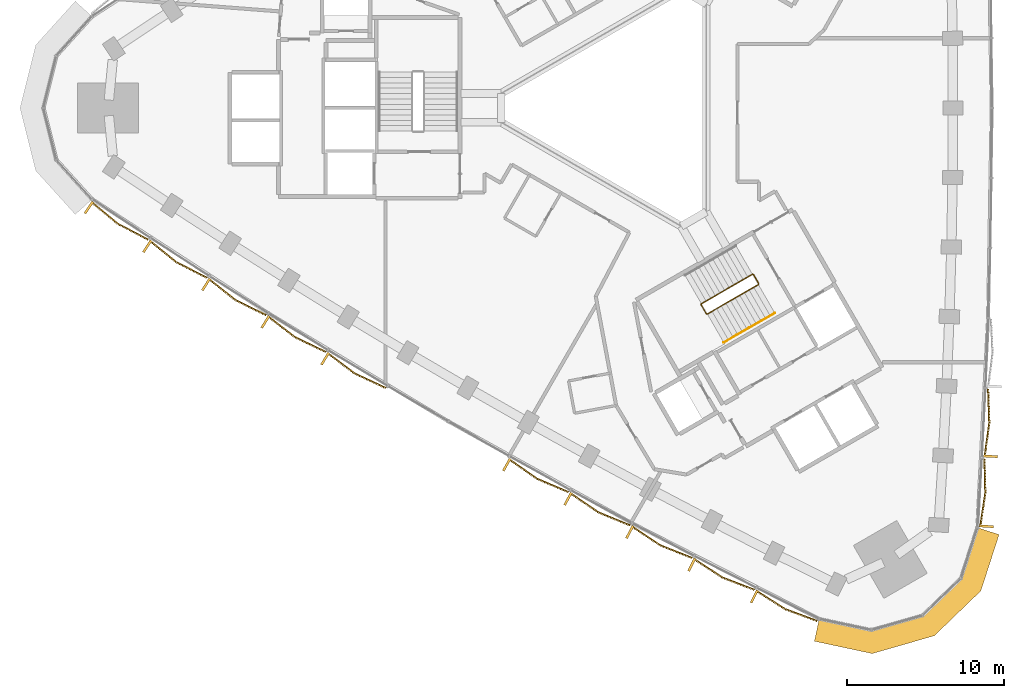
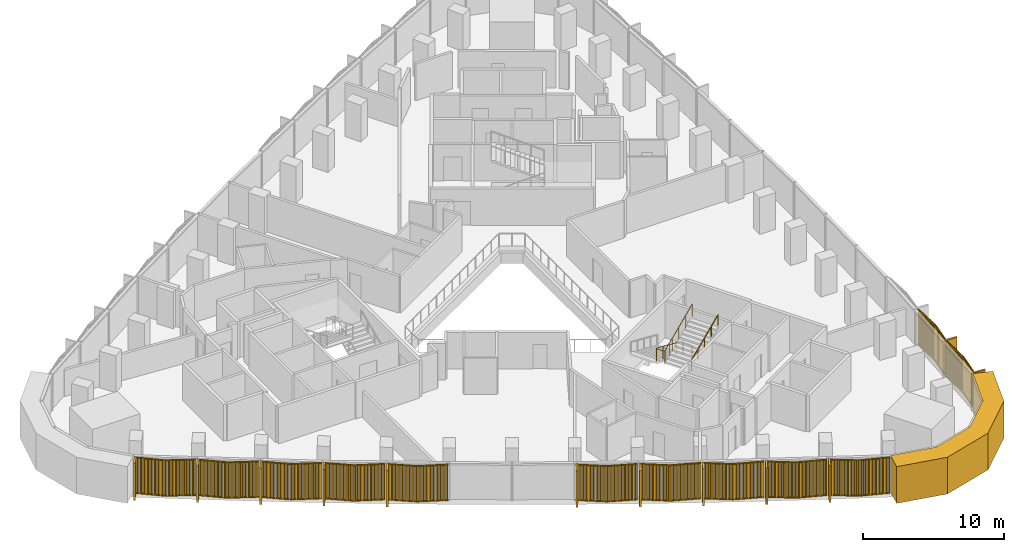
# One storey, part 12 of 15: 13 coverings, 2 railings.
"""IFC4 building model written with IfcOpenShell, lengths in metres."""

from ifc_helpers import new_model, si_unit, direction, frame, frame_2d, origin, origin_2d, place, context, subcontext, project, spatial, polyline, rectangle, circle, outline, extrude, source, transform, mapped, material, layer, layer_set, type_object, element, save


model = new_model("IFC4")

# Units and contexts
model_context = context("Model", 3, precision=1e-05, world=origin(), true_north=direction((0.0, 1.0)))
body_context = subcontext(model_context, "Body", "Model", "MODEL_VIEW")
ifc_project = project(units=[si_unit("LENGTHUNIT", "METRE"), si_unit("AREAUNIT", "SQUARE_METRE"), si_unit("VOLUMEUNIT", "CUBIC_METRE"), si_unit("PLANEANGLEUNIT", "RADIAN"), si_unit("MASSUNIT", "GRAM", prefix="KILO")], contexts=[model_context])

# Site, building, storey
site_placement = place(None, origin())
site = spatial("IfcSite", under=ifc_project, at=site_placement, CompositionType="ELEMENT")
building_placement = place(site_placement, origin())
building = spatial("IfcBuilding", under=site, at=building_placement, Name="Tamra Quay Hotel Tower", CompositionType="ELEMENT")
storey_placement = place(building_placement, frame((0.0, 0.0, 108.199951171875)))
storey = spatial("IfcBuildingStorey", under=building, at=storey_placement, Name="L26", CompositionType="ELEMENT", Elevation=108.199951171875)

# Covering
ifc_material_1 = material(Name="Precast concrete M60 terracotta-coloured", Category="masonry")
ifc_layer = layer(ifc_material_1, 1.449951171875)
ifc_layer_set = layer_set([ifc_layer], Name="CORNER PIER PANEL")
covering_type_1 = type_object("IfcCoveringType", Name="CORNER PIER PANEL", PredefinedType="CLADDING", material=ifc_layer_set)
covering_placement = place(storey_placement, origin())
element("IfcCovering", 1, at=covering_placement, inside=storey, type_object=covering_type_1, Name="Corner pier L26.south-west", PredefinedType="CLADDING", context=body_context, shape_type="SweptSolid", body=[
    extrude(outline(polyline([(12.11181640625, -32.657470703125), (11.808349609375, -34.075439453125), (15.497314453125, -34.864501953125), (19.471923828125, -33.7265625), (22.44482421875, -30.853271484375), (23.60595703125, -27.26416015625), (22.226318359375, -26.81787109375), (21.1767578125, -30.062255859375), (18.724609375, -32.43212890625), (15.4462890625, -33.370849609375), (12.11181640625, -32.657470703125)])), origin(), (0.0, 0.0, 1.0), 3.175048828125),
])

# Railings
ifc_material_2 = material(Name="Stair guard 1100")
railing_type_1 = type_object("IfcRailingType", Name="Stair guard 1100", PredefinedType="GUARDRAIL", material=ifc_material_2)
railing_1_placement = place(storey_placement, frame((8.245849609375, -11.221923828125, 0.0)))
element("IfcRailing", 2, at=railing_1_placement, inside=storey, type_object=railing_type_1, Name="GR", PredefinedType="GUARDRAIL", context=body_context, shape_type="SweptSolid", body=[
    extrude(circle(Radius=0.02392578125, at=origin_2d()), frame((0.0, 0.0, 1.076171875), z_axis=(-0.500043078269, 0.866000531106, 0.0), x_axis=(-0.866000531106, -0.500043078269, 0.0)), (0.0, 0.0, 1.0), 0.6591796875),
    extrude(circle(Radius=0.02392578125, at=origin_2d()), frame((-0.32958984375, 0.57080078125, 1.076171875), z_axis=(-0.411831509231, 0.110312011401, 0.90455849349), x_axis=(-0.258736085224, -0.965948051503, 0.0)), (0.0, 0.0, 1.0), 0.166015625),
    extrude(circle(Radius=0.02392578125, at=origin_2d()), frame((-0.39794921875, 0.589111328125, 1.22607421875), z_axis=(-0.793100512587, -0.457912285461, 0.401631567183), x_axis=(0.500012686397, -0.866018079166, 0.0)), (0.0, 0.0, 1.0), 4.10791015625),
    extrude(circle(Radius=0.02392578125, at=origin_2d()), frame((-3.656005859375, -1.2919921875, 2.8759765625), z_axis=(-0.256368644879, -0.966579080015, 0.0), x_axis=(0.966579080015, -0.256368644879, 0.0)), (0.0, 0.0, 1.0), 0.070556640625),
    extrude(circle(Radius=0.02392578125, at=origin_2d()), frame((-3.674072265625, -1.360107421875, 2.8759765625), z_axis=(0.499765215335, -0.866160914346, 0.0), x_axis=(0.866160914346, 0.499765215335, 0.0)), (0.0, 0.0, 1.0), 0.658935546875),
    extrude(circle(Radius=0.02392578125, at=origin_2d()), frame((-3.3447265625, -1.930908203125, 2.8759765625), z_axis=(0.41238007866, -0.110458949641, 0.904290601062), x_axis=(0.258736085224, 0.965948051503, 0.0)), (0.0, 0.0, 1.0), 0.165771484375),
    extrude(circle(Radius=0.02392578125, at=origin_2d()), frame((-3.2763671875, -1.94921875, 3.02587890625), z_axis=(0.793081581205, 0.457901355053, 0.401681409319), x_axis=(-0.500012686397, 0.866018079166, 0.0)), (0.0, 0.0, 1.0), 4.108154296875),
    extrude(circle(Radius=0.02099609375, at=origin_2d()), origin(), (0.0, 0.0, 1.0), 1.052001953125),
    extrude(circle(Radius=0.02099609375, at=origin_2d()), frame((-0.32958984375, 0.57080078125, 0.0)), (0.0, 0.0, 1.0), 1.052001953125),
    extrude(circle(Radius=0.02099609375, at=origin_2d()), frame((-0.39794921875, 0.589111328125, 0.150146484375)), (0.0, 0.0, 1.0), 1.052001953125),
    extrude(circle(Radius=0.02099609375, at=origin_2d()), frame((-1.21240234375, 0.118896484375, 0.5625)), (0.0, 0.0, 1.0), 1.052001953125),
    extrude(circle(Radius=0.02099609375, at=origin_2d()), frame((-2.02685546875, -0.3515625, 0.97509765625)), (0.0, 0.0, 1.0), 1.052001953125),
    extrude(circle(Radius=0.02099609375, at=origin_2d()), frame((-2.841552734375, -0.82177734375, 1.3876953125)), (0.0, 0.0, 1.0), 1.052001953125),
    extrude(circle(Radius=0.02099609375, at=origin_2d()), frame((-3.656005859375, -1.2919921875, 1.800048828125)), (0.0, 0.0, 1.0), 1.052001953125),
    extrude(circle(Radius=0.02099609375, at=origin_2d()), frame((-3.674072265625, -1.360107421875, 1.800048828125)), (0.0, 0.0, 1.0), 1.052001953125),
    extrude(circle(Radius=0.02099609375, at=origin_2d()), frame((-3.3447265625, -1.930908203125, 1.800048828125)), (0.0, 0.0, 1.0), 1.052001953125),
    extrude(circle(Radius=0.02099609375, at=origin_2d()), frame((-3.2763671875, -1.94921875, 1.949951171875)), (0.0, 0.0, 1.0), 1.052001953125),
    extrude(circle(Radius=0.02099609375, at=origin_2d()), frame((-2.4619140625, -1.47900390625, 2.362548828125)), (0.0, 0.0, 1.0), 1.052001953125),
    extrude(circle(Radius=0.02099609375, at=origin_2d()), frame((-1.6474609375, -1.0087890625, 2.77490234375)), (0.0, 0.0, 1.0), 1.052001953125),
    extrude(circle(Radius=0.02099609375, at=origin_2d()), frame((-0.832763671875, -0.538330078125, 3.1875)), (0.0, 0.0, 1.0), 1.052001953125),
    extrude(circle(Radius=0.02099609375, at=origin_2d()), frame((-0.018310546875, -0.068115234375, 3.60009765625)), (0.0, 0.0, 1.0), 1.052001953125),
])
ifc_material_3 = material(Name="Stair handrail 900")
railing_type_2 = type_object("IfcRailingType", Name="Stair handrail 900", PredefinedType="HANDRAIL", material=ifc_material_3)
railing_2_placement = place(storey_placement, frame((6.01953125, -14.98974609375, 1.949951171875)))
element("IfcRailing", 3, at=railing_2_placement, inside=storey, type_object=railing_type_2, Name="HR", PredefinedType="HANDRAIL", context=body_context, shape_type="SweptSolid", body=[
    extrude(circle(Radius=0.02392578125, at=origin_2d()), frame((0.0, 0.0, 0.8759765625), z_axis=(0.793081112945, 0.457875966286, 0.40171127416), x_axis=(-0.499992114976, 0.866029956157, 0.0)), (0.0, 0.0, 1.0), 4.10791015625),
    extrude(circle(Radius=0.02099609375, at=origin_2d()), origin(), (0.0, 0.0, 1.0), 0.851806640625),
    extrude(circle(Radius=0.02099609375, at=origin_2d()), frame((0.814453125, 0.47021484375, 0.41259765625)), (0.0, 0.0, 1.0), 0.851806640625),
    extrude(circle(Radius=0.02099609375, at=origin_2d()), frame((1.62890625, 0.9404296875, 0.8251953125)), (0.0, 0.0, 1.0), 0.851806640625),
    extrude(circle(Radius=0.02099609375, at=origin_2d()), frame((2.443359375, 1.41064453125, 1.237548828125)), (0.0, 0.0, 1.0), 0.851806640625),
    extrude(circle(Radius=0.02099609375, at=origin_2d()), frame((3.2578125, 1.880859375, 1.650146484375)), (0.0, 0.0, 1.0), 0.851806640625),
])

# Coverings
ifc_material_4 = material(Name="Terracotta baguette extruded", Category="masonry")
covering_type_2 = type_object("IfcCoveringType", Name="BAGUETTE SCREEN E-V H3175", PredefinedType="USERDEFINED", material=ifc_material_4)
shared_shape_1 = source(origin(), body_context, "Body", "SweptSolid", [
    extrude(rectangle(XDim=2.200927734375, YDim=0.06005859375, at=frame_2d((1.1005859375, 0.030029296875))), frame((-2.19775390625, -0.057861328125, -0.1201171875), z_axis=(0.0, 0.0, 1.0), x_axis=(0.996194698092, -0.087155742748, 0.0)), (0.0, 0.0, 1.0), 0.1201171875),
    extrude(rectangle(XDim=2.200927734375, YDim=0.06005859375, at=frame_2d((1.1005859375, 0.030029296875))), frame((-2.19775390625, -0.057861328125, -3.175048828125), z_axis=(0.0, 0.0, 1.0), x_axis=(0.996194698092, -0.087155742748, 0.0)), (0.0, 0.0, 1.0), 0.1201171875),
    extrude(rectangle(XDim=0.070068359375, YDim=0.10009765625, at=frame_2d((0.03515625, 0.050048828125))), frame((-2.177734375, -0.13232421875, -3.114990234375)), (0.0, 0.0, 1.0), 3.054931640625),
    extrude(rectangle(XDim=0.070068359375, YDim=0.10009765625, at=frame_2d((0.03515625, 0.050048828125))), frame((-2.078125, -0.14111328125, -3.114990234375)), (0.0, 0.0, 1.0), 3.054931640625),
    extrude(rectangle(XDim=0.070068359375, YDim=0.10009765625, at=frame_2d((0.03515625, 0.050048828125))), frame((-1.978271484375, -0.14990234375, -3.114990234375)), (0.0, 0.0, 1.0), 3.054931640625),
    extrude(rectangle(XDim=0.070068359375, YDim=0.10009765625, at=frame_2d((0.03515625, 0.050048828125))), frame((-1.878662109375, -0.158447265625, -3.114990234375)), (0.0, 0.0, 1.0), 3.054931640625),
    extrude(rectangle(XDim=0.070068359375, YDim=0.10009765625, at=frame_2d((0.03515625, 0.050048828125))), frame((-1.779052734375, -0.167236328125, -3.114990234375)), (0.0, 0.0, 1.0), 3.054931640625),
    extrude(rectangle(XDim=0.070068359375, YDim=0.10009765625, at=frame_2d((0.03515625, 0.050048828125))), frame((-1.679443359375, -0.176025390625, -3.114990234375)), (0.0, 0.0, 1.0), 3.054931640625),
    extrude(rectangle(XDim=0.070068359375, YDim=0.10009765625, at=frame_2d((0.03515625, 0.050048828125))), frame((-1.579833984375, -0.1845703125, -3.114990234375)), (0.0, 0.0, 1.0), 3.054931640625),
    extrude(rectangle(XDim=0.070068359375, YDim=0.10009765625, at=frame_2d((0.03515625, 0.050048828125))), frame((-1.47998046875, -0.193359375, -3.114990234375)), (0.0, 0.0, 1.0), 3.054931640625),
    extrude(rectangle(XDim=0.070068359375, YDim=0.10009765625, at=frame_2d((0.03515625, 0.050048828125))), frame((-1.38037109375, -0.2021484375, -3.114990234375)), (0.0, 0.0, 1.0), 3.054931640625),
    extrude(rectangle(XDim=0.070068359375, YDim=0.10009765625, at=frame_2d((0.03515625, 0.050048828125))), frame((-1.28076171875, -0.2109375, -3.114990234375)), (0.0, 0.0, 1.0), 3.054931640625),
    extrude(rectangle(XDim=0.070068359375, YDim=0.10009765625, at=frame_2d((0.03515625, 0.050048828125))), frame((-1.18115234375, -0.219482421875, -3.114990234375)), (0.0, 0.0, 1.0), 3.054931640625),
    extrude(rectangle(XDim=0.070068359375, YDim=0.10009765625, at=frame_2d((0.03515625, 0.050048828125))), frame((-1.081298828125, -0.228271484375, -3.114990234375)), (0.0, 0.0, 1.0), 3.054931640625),
    extrude(rectangle(XDim=0.070068359375, YDim=0.10009765625, at=frame_2d((0.03515625, 0.050048828125))), frame((-0.981689453125, -0.237060546875, -3.114990234375)), (0.0, 0.0, 1.0), 3.054931640625),
    extrude(rectangle(XDim=0.070068359375, YDim=0.10009765625, at=frame_2d((0.03515625, 0.050048828125))), frame((-0.882080078125, -0.24560546875, -3.114990234375)), (0.0, 0.0, 1.0), 3.054931640625),
    extrude(rectangle(XDim=0.070068359375, YDim=0.10009765625, at=frame_2d((0.03515625, 0.050048828125))), frame((-0.782470703125, -0.25439453125, -3.114990234375)), (0.0, 0.0, 1.0), 3.054931640625),
    extrude(rectangle(XDim=0.070068359375, YDim=0.10009765625, at=frame_2d((0.03515625, 0.050048828125))), frame((-0.682861328125, -0.26318359375, -3.114990234375)), (0.0, 0.0, 1.0), 3.054931640625),
    extrude(rectangle(XDim=0.070068359375, YDim=0.10009765625, at=frame_2d((0.03515625, 0.050048828125))), frame((-0.583251953125, -0.27197265625, -3.114990234375)), (0.0, 0.0, 1.0), 3.054931640625),
    extrude(rectangle(XDim=0.070068359375, YDim=0.10009765625, at=frame_2d((0.03515625, 0.050048828125))), frame((-0.4833984375, -0.280517578125, -3.114990234375)), (0.0, 0.0, 1.0), 3.054931640625),
    extrude(rectangle(XDim=0.070068359375, YDim=0.10009765625, at=frame_2d((0.03515625, 0.050048828125))), frame((-0.3837890625, -0.289306640625, -3.114990234375)), (0.0, 0.0, 1.0), 3.054931640625),
    extrude(rectangle(XDim=0.070068359375, YDim=0.10009765625, at=frame_2d((0.03515625, 0.050048828125))), frame((-0.2841796875, -0.298095703125, -3.114990234375)), (0.0, 0.0, 1.0), 3.054931640625),
    extrude(rectangle(XDim=0.070068359375, YDim=0.10009765625, at=frame_2d((0.03515625, 0.050048828125))), frame((-0.1845703125, -0.306640625, -3.114990234375)), (0.0, 0.0, 1.0), 3.054931640625),
    extrude(rectangle(XDim=0.070068359375, YDim=0.10009765625, at=frame_2d((0.03515625, 0.050048828125))), frame((-0.084716796875, -0.3154296875, -3.114990234375)), (0.0, 0.0, 1.0), 3.054931640625),
    extrude(rectangle(XDim=2.200927734375, YDim=0.06005859375, at=frame_2d((1.1005859375, 0.030029296875))), frame((0.005126953125, -0.24951171875, -0.1201171875), z_axis=(0.0, 0.0, 1.0), x_axis=(0.996194698092, 0.087155742748, 0.0)), (0.0, 0.0, 1.0), 0.1201171875),
    extrude(rectangle(XDim=2.200927734375, YDim=0.06005859375, at=frame_2d((1.1005859375, 0.030029296875))), frame((0.005126953125, -0.24951171875, -3.175048828125), z_axis=(0.0, 0.0, 1.0), x_axis=(0.996194698092, 0.087155742748, 0.0)), (0.0, 0.0, 1.0), 0.1201171875),
    extrude(rectangle(XDim=0.070068359375, YDim=0.10009765625, at=frame_2d((0.03515625, 0.050048828125))), frame((0.014892578125, -0.3154296875, -3.114990234375)), (0.0, 0.0, 1.0), 3.054931640625),
    extrude(rectangle(XDim=0.070068359375, YDim=0.10009765625, at=frame_2d((0.03515625, 0.050048828125))), frame((0.114501953125, -0.306640625, -3.114990234375)), (0.0, 0.0, 1.0), 3.054931640625),
    extrude(rectangle(XDim=0.070068359375, YDim=0.10009765625, at=frame_2d((0.03515625, 0.050048828125))), frame((0.214111328125, -0.298095703125, -3.114990234375)), (0.0, 0.0, 1.0), 3.054931640625),
    extrude(rectangle(XDim=0.070068359375, YDim=0.10009765625, at=frame_2d((0.03515625, 0.050048828125))), frame((0.313720703125, -0.289306640625, -3.114990234375)), (0.0, 0.0, 1.0), 3.054931640625),
    extrude(rectangle(XDim=0.070068359375, YDim=0.10009765625, at=frame_2d((0.03515625, 0.050048828125))), frame((0.41357421875, -0.280517578125, -3.114990234375)), (0.0, 0.0, 1.0), 3.054931640625),
    extrude(rectangle(XDim=0.070068359375, YDim=0.10009765625, at=frame_2d((0.03515625, 0.050048828125))), frame((0.51318359375, -0.27197265625, -3.114990234375)), (0.0, 0.0, 1.0), 3.054931640625),
    extrude(rectangle(XDim=0.070068359375, YDim=0.10009765625, at=frame_2d((0.03515625, 0.050048828125))), frame((0.61279296875, -0.26318359375, -3.114990234375)), (0.0, 0.0, 1.0), 3.054931640625),
    extrude(rectangle(XDim=0.070068359375, YDim=0.10009765625, at=frame_2d((0.03515625, 0.050048828125))), frame((0.71240234375, -0.25439453125, -3.114990234375)), (0.0, 0.0, 1.0), 3.054931640625),
    extrude(rectangle(XDim=0.070068359375, YDim=0.10009765625, at=frame_2d((0.03515625, 0.050048828125))), frame((0.81201171875, -0.24560546875, -3.114990234375)), (0.0, 0.0, 1.0), 3.054931640625),
    extrude(rectangle(XDim=0.070068359375, YDim=0.10009765625, at=frame_2d((0.03515625, 0.050048828125))), frame((0.911865234375, -0.237060546875, -3.114990234375)), (0.0, 0.0, 1.0), 3.054931640625),
    extrude(rectangle(XDim=0.070068359375, YDim=0.10009765625, at=frame_2d((0.03515625, 0.050048828125))), frame((1.011474609375, -0.228271484375, -3.114990234375)), (0.0, 0.0, 1.0), 3.054931640625),
    extrude(rectangle(XDim=0.070068359375, YDim=0.10009765625, at=frame_2d((0.03515625, 0.050048828125))), frame((1.111083984375, -0.219482421875, -3.114990234375)), (0.0, 0.0, 1.0), 3.054931640625),
    extrude(rectangle(XDim=0.070068359375, YDim=0.10009765625, at=frame_2d((0.03515625, 0.050048828125))), frame((1.210693359375, -0.2109375, -3.114990234375)), (0.0, 0.0, 1.0), 3.054931640625),
    extrude(rectangle(XDim=0.070068359375, YDim=0.10009765625, at=frame_2d((0.03515625, 0.050048828125))), frame((1.310302734375, -0.2021484375, -3.114990234375)), (0.0, 0.0, 1.0), 3.054931640625),
    extrude(rectangle(XDim=0.070068359375, YDim=0.10009765625, at=frame_2d((0.03515625, 0.050048828125))), frame((1.41015625, -0.193359375, -3.114990234375)), (0.0, 0.0, 1.0), 3.054931640625),
    extrude(rectangle(XDim=0.070068359375, YDim=0.10009765625, at=frame_2d((0.03515625, 0.050048828125))), frame((1.509765625, -0.1845703125, -3.114990234375)), (0.0, 0.0, 1.0), 3.054931640625),
    extrude(rectangle(XDim=0.070068359375, YDim=0.10009765625, at=frame_2d((0.03515625, 0.050048828125))), frame((1.609375, -0.176025390625, -3.114990234375)), (0.0, 0.0, 1.0), 3.054931640625),
    extrude(rectangle(XDim=0.070068359375, YDim=0.10009765625, at=frame_2d((0.03515625, 0.050048828125))), frame((1.708984375, -0.167236328125, -3.114990234375)), (0.0, 0.0, 1.0), 3.054931640625),
    extrude(rectangle(XDim=0.070068359375, YDim=0.10009765625, at=frame_2d((0.03515625, 0.050048828125))), frame((1.80859375, -0.158447265625, -3.114990234375)), (0.0, 0.0, 1.0), 3.054931640625),
    extrude(rectangle(XDim=0.070068359375, YDim=0.10009765625, at=frame_2d((0.03515625, 0.050048828125))), frame((1.908447265625, -0.14990234375, -3.114990234375)), (0.0, 0.0, 1.0), 3.054931640625),
    extrude(rectangle(XDim=0.070068359375, YDim=0.10009765625, at=frame_2d((0.03515625, 0.050048828125))), frame((2.008056640625, -0.14111328125, -3.114990234375)), (0.0, 0.0, 1.0), 3.054931640625),
    extrude(rectangle(XDim=0.070068359375, YDim=0.10009765625, at=frame_2d((0.03515625, 0.050048828125))), frame((2.107666015625, -0.13232421875, -3.114990234375)), (0.0, 0.0, 1.0), 3.054931640625),
    extrude(rectangle(XDim=0.14990234375, YDim=0.902099609375, at=frame_2d((0.074951171875, 0.451171875))), frame((-2.1923828125, -0.89990234375, -3.175048828125)), (0.0, 0.0, 1.0), 3.175048828125),
])
for number, where, z_axis, x_axis, name in (
    (4, (22.474365234375, -24.5927734375, 3.175048828125), (0.0, 0.0, 1.0), (0.062669917068, 0.998034308776, 0.0), "Baguette screen L26.E.f00"),
    (5, (22.729248046875, -20.1259765625, 3.175048828125), (0.0, 0.0, 1.0), (0.051320736558, 0.998682222731, 0.0), "Baguette screen L26.E.f01"),
):
    element("IfcCovering", number, at=place(storey_placement, frame(where, z_axis=z_axis, x_axis=x_axis)), inside=storey, type_object=covering_type_2, Name=name, ObjectType="BAGUETTE SCREEN", PredefinedType="USERDEFINED", context=body_context, shape_type="MappedRepresentation", body=[
        mapped(shared_shape_1, transform((0.0, 0.0, 0.0), scale=1.0)),
    ])
covering_type_3 = type_object("IfcCoveringType", Name="BAGUETTE SCREEN SW-V H3175", PredefinedType="USERDEFINED", material=ifc_material_4)
shared_shape_2 = source(origin(), body_context, "Body", "SweptSolid", [
    extrude(rectangle(XDim=2.20458984375, YDim=0.06005859375, at=frame_2d((1.102294921875, 0.030029296875))), frame((-2.19873046875, -0.0576171875, -0.1201171875), z_axis=(0.0, 0.0, 1.0), x_axis=(0.994521895368, -0.104528463268, 0.0)), (0.0, 0.0, 1.0), 0.1201171875),
    extrude(rectangle(XDim=2.20458984375, YDim=0.06005859375, at=frame_2d((1.102294921875, 0.030029296875))), frame((-2.19873046875, -0.0576171875, -3.175048828125), z_axis=(0.0, 0.0, 1.0), x_axis=(0.994521895368, -0.104528463268, 0.0)), (0.0, 0.0, 1.0), 0.1201171875),
    extrude(rectangle(XDim=0.070068359375, YDim=0.10009765625, at=frame_2d((0.03515625, 0.050048828125))), frame((-2.177734375, -0.13330078125, -3.114990234375)), (0.0, 0.0, 1.0), 3.054931640625),
    extrude(rectangle(XDim=0.070068359375, YDim=0.10009765625, at=frame_2d((0.03515625, 0.050048828125))), frame((-2.078125, -0.143798828125, -3.114990234375)), (0.0, 0.0, 1.0), 3.054931640625),
    extrude(rectangle(XDim=0.070068359375, YDim=0.10009765625, at=frame_2d((0.03515625, 0.050048828125))), frame((-1.978271484375, -0.154296875, -3.114990234375)), (0.0, 0.0, 1.0), 3.054931640625),
    extrude(rectangle(XDim=0.070068359375, YDim=0.10009765625, at=frame_2d((0.03515625, 0.050048828125))), frame((-1.878662109375, -0.16455078125, -3.114990234375)), (0.0, 0.0, 1.0), 3.054931640625),
    extrude(rectangle(XDim=0.070068359375, YDim=0.10009765625, at=frame_2d((0.03515625, 0.050048828125))), frame((-1.779052734375, -0.175048828125, -3.114990234375)), (0.0, 0.0, 1.0), 3.054931640625),
    extrude(rectangle(XDim=0.070068359375, YDim=0.10009765625, at=frame_2d((0.03515625, 0.050048828125))), frame((-1.679443359375, -0.185546875, -3.114990234375)), (0.0, 0.0, 1.0), 3.054931640625),
    extrude(rectangle(XDim=0.070068359375, YDim=0.10009765625, at=frame_2d((0.03515625, 0.050048828125))), frame((-1.579833984375, -0.196044921875, -3.114990234375)), (0.0, 0.0, 1.0), 3.054931640625),
    extrude(rectangle(XDim=0.070068359375, YDim=0.10009765625, at=frame_2d((0.03515625, 0.050048828125))), frame((-1.47998046875, -0.20654296875, -3.114990234375)), (0.0, 0.0, 1.0), 3.054931640625),
    extrude(rectangle(XDim=0.070068359375, YDim=0.10009765625, at=frame_2d((0.03515625, 0.050048828125))), frame((-1.38037109375, -0.217041015625, -3.114990234375)), (0.0, 0.0, 1.0), 3.054931640625),
    extrude(rectangle(XDim=0.070068359375, YDim=0.10009765625, at=frame_2d((0.03515625, 0.050048828125))), frame((-1.28076171875, -0.2275390625, -3.114990234375)), (0.0, 0.0, 1.0), 3.054931640625),
    extrude(rectangle(XDim=0.070068359375, YDim=0.10009765625, at=frame_2d((0.03515625, 0.050048828125))), frame((-1.18115234375, -0.238037109375, -3.114990234375)), (0.0, 0.0, 1.0), 3.054931640625),
    extrude(rectangle(XDim=0.070068359375, YDim=0.10009765625, at=frame_2d((0.03515625, 0.050048828125))), frame((-1.081298828125, -0.24853515625, -3.114990234375)), (0.0, 0.0, 1.0), 3.054931640625),
    extrude(rectangle(XDim=0.070068359375, YDim=0.10009765625, at=frame_2d((0.03515625, 0.050048828125))), frame((-0.981689453125, -0.259033203125, -3.114990234375)), (0.0, 0.0, 1.0), 3.054931640625),
    extrude(rectangle(XDim=0.070068359375, YDim=0.10009765625, at=frame_2d((0.03515625, 0.050048828125))), frame((-0.882080078125, -0.26953125, -3.114990234375)), (0.0, 0.0, 1.0), 3.054931640625),
    extrude(rectangle(XDim=0.070068359375, YDim=0.10009765625, at=frame_2d((0.03515625, 0.050048828125))), frame((-0.782470703125, -0.27978515625, -3.114990234375)), (0.0, 0.0, 1.0), 3.054931640625),
    extrude(rectangle(XDim=0.070068359375, YDim=0.10009765625, at=frame_2d((0.03515625, 0.050048828125))), frame((-0.682861328125, -0.290283203125, -3.114990234375)), (0.0, 0.0, 1.0), 3.054931640625),
    extrude(rectangle(XDim=0.070068359375, YDim=0.10009765625, at=frame_2d((0.03515625, 0.050048828125))), frame((-0.583251953125, -0.30078125, -3.114990234375)), (0.0, 0.0, 1.0), 3.054931640625),
    extrude(rectangle(XDim=0.070068359375, YDim=0.10009765625, at=frame_2d((0.03515625, 0.050048828125))), frame((-0.4833984375, -0.311279296875, -3.114990234375)), (0.0, 0.0, 1.0), 3.054931640625),
    extrude(rectangle(XDim=0.070068359375, YDim=0.10009765625, at=frame_2d((0.03515625, 0.050048828125))), frame((-0.3837890625, -0.32177734375, -3.114990234375)), (0.0, 0.0, 1.0), 3.054931640625),
    extrude(rectangle(XDim=0.070068359375, YDim=0.10009765625, at=frame_2d((0.03515625, 0.050048828125))), frame((-0.2841796875, -0.332275390625, -3.114990234375)), (0.0, 0.0, 1.0), 3.054931640625),
    extrude(rectangle(XDim=0.070068359375, YDim=0.10009765625, at=frame_2d((0.03515625, 0.050048828125))), frame((-0.1845703125, -0.3427734375, -3.114990234375)), (0.0, 0.0, 1.0), 3.054931640625),
    extrude(rectangle(XDim=0.070068359375, YDim=0.10009765625, at=frame_2d((0.03515625, 0.050048828125))), frame((-0.084716796875, -0.353271484375, -3.114990234375)), (0.0, 0.0, 1.0), 3.054931640625),
    extrude(rectangle(XDim=2.20458984375, YDim=0.06005859375, at=frame_2d((1.102294921875, 0.030029296875))), frame((0.00634765625, -0.2880859375, -0.1201171875), z_axis=(0.0, 0.0, 1.0), x_axis=(0.994521895368, 0.104528463268, 0.0)), (0.0, 0.0, 1.0), 0.1201171875),
    extrude(rectangle(XDim=2.20458984375, YDim=0.06005859375, at=frame_2d((1.102294921875, 0.030029296875))), frame((0.00634765625, -0.2880859375, -3.175048828125), z_axis=(0.0, 0.0, 1.0), x_axis=(0.994521895368, 0.104528463268, 0.0)), (0.0, 0.0, 1.0), 0.1201171875),
    extrude(rectangle(XDim=0.070068359375, YDim=0.10009765625, at=frame_2d((0.03515625, 0.050048828125))), frame((0.014892578125, -0.353271484375, -3.114990234375)), (0.0, 0.0, 1.0), 3.054931640625),
    extrude(rectangle(XDim=0.070068359375, YDim=0.10009765625, at=frame_2d((0.03515625, 0.050048828125))), frame((0.114501953125, -0.3427734375, -3.114990234375)), (0.0, 0.0, 1.0), 3.054931640625),
    extrude(rectangle(XDim=0.070068359375, YDim=0.10009765625, at=frame_2d((0.03515625, 0.050048828125))), frame((0.214111328125, -0.332275390625, -3.114990234375)), (0.0, 0.0, 1.0), 3.054931640625),
    extrude(rectangle(XDim=0.070068359375, YDim=0.10009765625, at=frame_2d((0.03515625, 0.050048828125))), frame((0.313720703125, -0.32177734375, -3.114990234375)), (0.0, 0.0, 1.0), 3.054931640625),
    extrude(rectangle(XDim=0.070068359375, YDim=0.10009765625, at=frame_2d((0.03515625, 0.050048828125))), frame((0.41357421875, -0.311279296875, -3.114990234375)), (0.0, 0.0, 1.0), 3.054931640625),
    extrude(rectangle(XDim=0.070068359375, YDim=0.10009765625, at=frame_2d((0.03515625, 0.050048828125))), frame((0.51318359375, -0.30078125, -3.114990234375)), (0.0, 0.0, 1.0), 3.054931640625),
    extrude(rectangle(XDim=0.070068359375, YDim=0.10009765625, at=frame_2d((0.03515625, 0.050048828125))), frame((0.61279296875, -0.290283203125, -3.114990234375)), (0.0, 0.0, 1.0), 3.054931640625),
    extrude(rectangle(XDim=0.070068359375, YDim=0.10009765625, at=frame_2d((0.03515625, 0.050048828125))), frame((0.71240234375, -0.27978515625, -3.114990234375)), (0.0, 0.0, 1.0), 3.054931640625),
    extrude(rectangle(XDim=0.070068359375, YDim=0.10009765625, at=frame_2d((0.03515625, 0.050048828125))), frame((0.81201171875, -0.26953125, -3.114990234375)), (0.0, 0.0, 1.0), 3.054931640625),
    extrude(rectangle(XDim=0.070068359375, YDim=0.10009765625, at=frame_2d((0.03515625, 0.050048828125))), frame((0.911865234375, -0.259033203125, -3.114990234375)), (0.0, 0.0, 1.0), 3.054931640625),
    extrude(rectangle(XDim=0.070068359375, YDim=0.10009765625, at=frame_2d((0.03515625, 0.050048828125))), frame((1.011474609375, -0.24853515625, -3.114990234375)), (0.0, 0.0, 1.0), 3.054931640625),
    extrude(rectangle(XDim=0.070068359375, YDim=0.10009765625, at=frame_2d((0.03515625, 0.050048828125))), frame((1.111083984375, -0.238037109375, -3.114990234375)), (0.0, 0.0, 1.0), 3.054931640625),
    extrude(rectangle(XDim=0.070068359375, YDim=0.10009765625, at=frame_2d((0.03515625, 0.050048828125))), frame((1.210693359375, -0.2275390625, -3.114990234375)), (0.0, 0.0, 1.0), 3.054931640625),
    extrude(rectangle(XDim=0.070068359375, YDim=0.10009765625, at=frame_2d((0.03515625, 0.050048828125))), frame((1.310302734375, -0.217041015625, -3.114990234375)), (0.0, 0.0, 1.0), 3.054931640625),
    extrude(rectangle(XDim=0.070068359375, YDim=0.10009765625, at=frame_2d((0.03515625, 0.050048828125))), frame((1.41015625, -0.20654296875, -3.114990234375)), (0.0, 0.0, 1.0), 3.054931640625),
    extrude(rectangle(XDim=0.070068359375, YDim=0.10009765625, at=frame_2d((0.03515625, 0.050048828125))), frame((1.509765625, -0.196044921875, -3.114990234375)), (0.0, 0.0, 1.0), 3.054931640625),
    extrude(rectangle(XDim=0.070068359375, YDim=0.10009765625, at=frame_2d((0.03515625, 0.050048828125))), frame((1.609375, -0.185546875, -3.114990234375)), (0.0, 0.0, 1.0), 3.054931640625),
    extrude(rectangle(XDim=0.070068359375, YDim=0.10009765625, at=frame_2d((0.03515625, 0.050048828125))), frame((1.708984375, -0.175048828125, -3.114990234375)), (0.0, 0.0, 1.0), 3.054931640625),
    extrude(rectangle(XDim=0.070068359375, YDim=0.10009765625, at=frame_2d((0.03515625, 0.050048828125))), frame((1.80859375, -0.16455078125, -3.114990234375)), (0.0, 0.0, 1.0), 3.054931640625),
    extrude(rectangle(XDim=0.070068359375, YDim=0.10009765625, at=frame_2d((0.03515625, 0.050048828125))), frame((1.908447265625, -0.154296875, -3.114990234375)), (0.0, 0.0, 1.0), 3.054931640625),
    extrude(rectangle(XDim=0.070068359375, YDim=0.10009765625, at=frame_2d((0.03515625, 0.050048828125))), frame((2.008056640625, -0.143798828125, -3.114990234375)), (0.0, 0.0, 1.0), 3.054931640625),
    extrude(rectangle(XDim=0.070068359375, YDim=0.10009765625, at=frame_2d((0.03515625, 0.050048828125))), frame((2.107666015625, -0.13330078125, -3.114990234375)), (0.0, 0.0, 1.0), 3.054931640625),
    extrude(rectangle(XDim=0.14990234375, YDim=0.902099609375, at=frame_2d((0.074951171875, 0.451171875))), frame((-2.1923828125, -0.89990234375, -3.175048828125)), (0.0, 0.0, 1.0), 3.175048828125),
])
for number, where, z_axis, x_axis, name in (
    (6, (-32.53515625, -7.1669921875, 3.175048828125), (0.0, 0.0, 1.0), (0.832988106715, -0.553290894622, 0.0), "Baguette screen L26.SW.f00"),
    (7, (-28.79443359375, -9.62109375, 3.175048828125), (0.0, 0.0, 1.0), (0.839223806914, -0.543786172966, 0.0), "Baguette screen L26.SW.f01"),
    (8, (-25.025634765625, -12.03271484375, 3.175048828125), (0.0, 0.0, 1.0), (0.845362307372, -0.534193381909, 0.0), "Baguette screen L26.SW.f02"),
    (9, (-21.2294921875, -14.4013671875, 3.175048828125), (0.0, 0.0, 1.0), (0.851399310906, -0.524518077276, 0.0), "Baguette screen L26.SW.f03"),
    (10, (-17.40673828125, -16.7265625, 3.175048828125), (0.0, 0.0, 1.0), (0.857331299736, -0.5147650362, 0.0), "Baguette screen L26.SW.f04"),
    (11, (-5.7822265625, -23.437744140625, 3.175048828125), (0.0, 0.0, 1.0), (0.874465248197, -0.485088166931, 0.0), "Baguette screen L26.SW.f07"),
    (12, (-1.857177734375, -25.5859375, 3.175048828125), (0.0, 0.0, 1.0), (0.879945635118, -0.475074393371, 0.0), "Baguette screen L26.SW.f08"),
    (13, (2.092041015625, -27.689208984375, 3.175048828125), (0.0, 0.0, 1.0), (0.885306192952, -0.465008542631, 0.0), "Baguette screen L26.SW.f09"),
    (14, (6.06494140625, -29.7470703125, 3.175048828125), (0.0, 0.0, 1.0), (0.890544543472, -0.454896049765, 0.0), "Baguette screen L26.SW.f10"),
    (15, (10.060791015625, -31.759765625, 3.175048828125), (0.0, 0.0, 1.0), (0.895658023783, -0.444743414154, 0.0), "Baguette screen L26.SW.f11"),
):
    element("IfcCovering", number, at=place(storey_placement, frame(where, z_axis=z_axis, x_axis=x_axis)), inside=storey, type_object=covering_type_3, Name=name, ObjectType="BAGUETTE SCREEN", PredefinedType="USERDEFINED", context=body_context, shape_type="MappedRepresentation", body=[
        mapped(shared_shape_2, transform((0.0, 0.0, 0.0), scale=1.0)),
    ])

save(model, "model.ifc")
